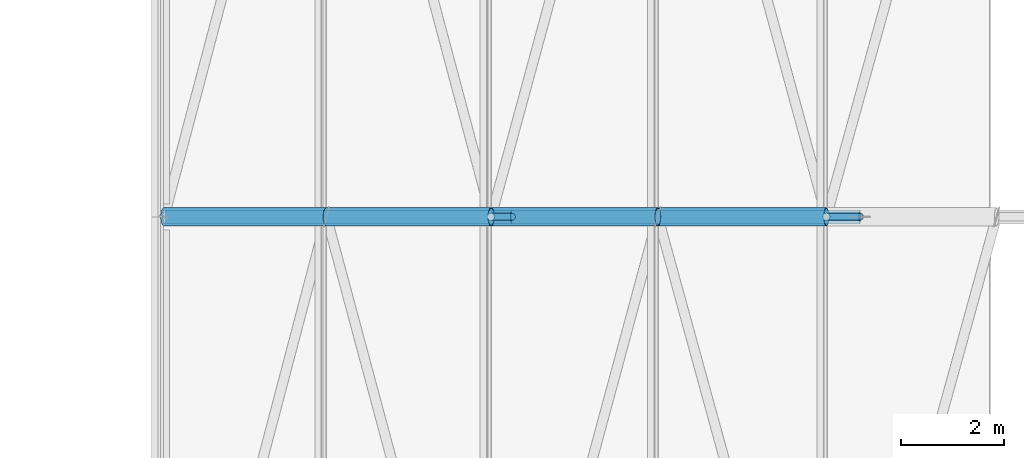
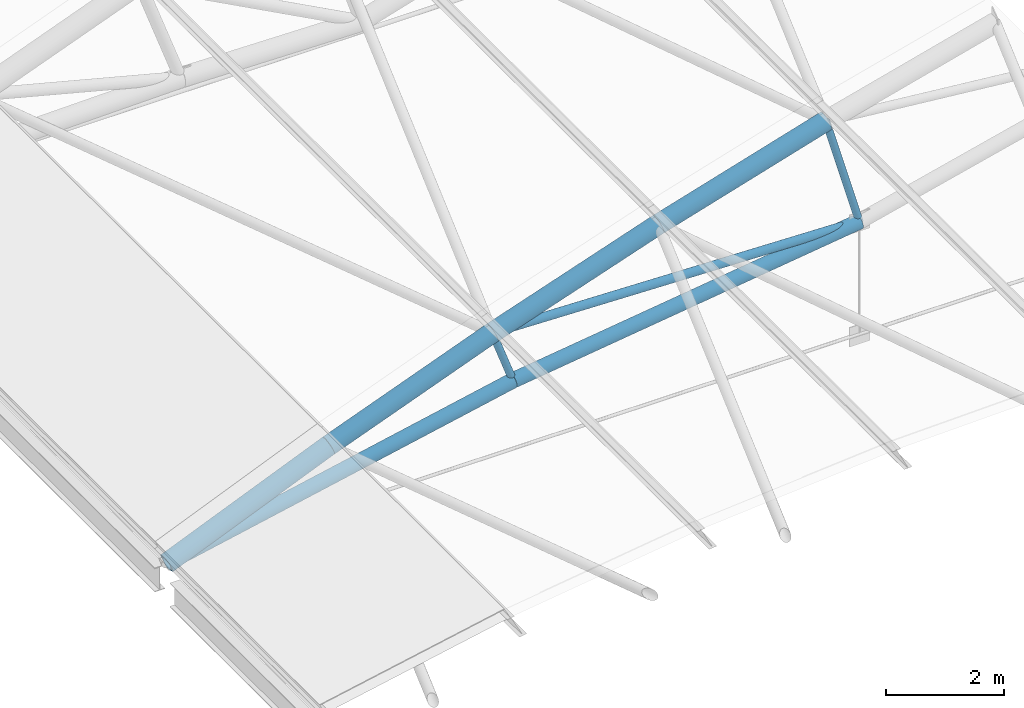
# One storey, part 73 of 321: 9 members.
"""IFC4 building model written with IfcOpenShell, lengths in metres."""

from ifc_helpers import new_model, si_unit, direction, frame, origin, origin_2d, place, context, subcontext, project, spatial, hollow_circle, extrude, material, material_profile, profile_set, type_object, element, save


model = new_model("IFC4")

# Units and contexts
model_context = context("Model", 3, precision=1e-05, world=origin(), true_north=direction((0.0, 1.0)))
body_context = subcontext(model_context, "Body", "Model", "MODEL_VIEW")
ifc_project = project(units=[si_unit("LENGTHUNIT", "METRE"), si_unit("AREAUNIT", "SQUARE_METRE"), si_unit("VOLUMEUNIT", "CUBIC_METRE"), si_unit("PLANEANGLEUNIT", "RADIAN"), si_unit("MASSUNIT", "GRAM", prefix="KILO")], contexts=[model_context])

# Site, building, storey
site_placement = place(None, origin())
site = spatial("IfcSite", under=ifc_project, at=site_placement, CompositionType="ELEMENT")
building_placement = place(site_placement, origin())
building = spatial("IfcBuilding", under=site, at=building_placement, Name="Ravi Spectrum Wholesale Market", CompositionType="ELEMENT")
storey_placement = place(building_placement, frame((0.0, 0.0, 10.800048828125)))
storey = spatial("IfcBuildingStorey", under=building, at=storey_placement, Name="L02", CompositionType="ELEMENT", Elevation=10.800048828125)

# Members
ifc_material_1 = material(Name="Steel S355", Category="steel")
ifc_material_profile_1 = material_profile(ifc_material_1, hollow_circle(Radius=0.06982421875, WallThickness=0.0048828125, at=origin_2d()))
ifc_profile_set_1 = profile_set([ifc_material_profile_1], Name="Steel S355")
member_type_1 = type_object("IfcMemberType", Name="CHS 139.7x5 post", PredefinedType="POST", material=ifc_profile_set_1)
member_1_placement = place(storey_placement, frame((36.363037109375, 114.0, 2.56494140625), z_axis=(0.338114270461, 0.0, -0.941105063269), x_axis=(0.0, 1.0, 0.0)))
element("IfcMember", 1, at=member_1_placement, inside=storey, type_object=member_type_1, Name="H1-MB-L02-622", PredefinedType="POST", context=body_context, shape_type="SweptSolid", body=[
    extrude(hollow_circle(Radius=0.06982421875, WallThickness=0.0048828125, at=origin_2d()), origin(), (0.0, 0.0, 1.0), 1.199951171875),
])
member_2_placement = place(storey_placement, frame((42.896240234375, 114.0, 4.661376953125), z_axis=(0.272503703517, 0.0, -0.962154733694), x_axis=(0.0, 1.0, 0.0)))
element("IfcMember", 2, at=member_2_placement, inside=storey, type_object=member_type_1, Name="H1-MB-L02-623", PredefinedType="POST", context=body_context, shape_type="SweptSolid", body=[
    extrude(hollow_circle(Radius=0.06982421875, WallThickness=0.0048828125, at=origin_2d()), origin(), (0.0, 0.0, 1.0), 2.400146484375),
])
ifc_material_2 = material(Name="Steel S355", Category="steel")
ifc_material_profile_2 = material_profile(ifc_material_2, hollow_circle(Radius=0.084228515625, WallThickness=0.00634765625, at=origin_2d()))
ifc_profile_set_2 = profile_set([ifc_material_profile_2], Name="Steel S355")
member_type_2 = type_object("IfcMemberType", Name="CHS 168.3x6.3 brace", PredefinedType="BRACE", material=ifc_profile_set_2)
member_3_placement = place(storey_placement, frame((36.363037109375, 114.0, 2.56494140625), z_axis=(0.999561599338, 0.0, -0.029607585673), x_axis=(0.0, 1.0, 0.0)))
element("IfcMember", 3, at=member_3_placement, inside=storey, type_object=member_type_2, Name="H1-MB-L02-633", PredefinedType="BRACE", context=body_context, shape_type="SweptSolid", body=[
    extrude(hollow_circle(Radius=0.084228515625, WallThickness=0.00634765625, at=origin_2d()), origin(), (0.0, 0.0, 1.0), 7.1904296875),
])
ifc_material_3 = material(Name="Steel S355", Category="steel")
ifc_material_profile_3 = material_profile(ifc_material_3, hollow_circle(Radius=0.136474609375, WallThickness=0.010009765625, at=origin_2d()))
ifc_profile_set_3 = profile_set([ifc_material_profile_3], Name="Steel S355")
member_type_3 = type_object("IfcMemberType", Name="CHS 273x10 chord", PredefinedType="CHORD", material=ifc_profile_set_3)
member_4_placement = place(storey_placement, frame((29.98974609375, 114.0, 0.023193359375), z_axis=(0.978978953118, 0.0, 0.203961293758), x_axis=(0.0, 1.0, 0.0)))
element("IfcMember", 4, at=member_4_placement, inside=storey, type_object=member_type_3, Name="H1-MB-L02-610", PredefinedType="CHORD", context=body_context, shape_type="SweptSolid", body=[
    extrude(hollow_circle(Radius=0.136474609375, WallThickness=0.010009765625, at=origin_2d()), origin(), (0.0, 0.0, 1.0), 6.924560546875),
])
member_5_placement = place(storey_placement, frame((36.768798828125, 114.0, 1.435546875), z_axis=(0.990990766788, 0.0, 0.133930206233), x_axis=(0.0, 1.0, 0.0)))
element("IfcMember", 5, at=member_5_placement, inside=storey, type_object=member_type_3, Name="H1-MB-L02-611", PredefinedType="CHORD", context=body_context, shape_type="SweptSolid", body=[
    extrude(hollow_circle(Radius=0.136474609375, WallThickness=0.010009765625, at=origin_2d()), origin(), (0.0, 0.0, 1.0), 6.84326171875),
])
ifc_material_4 = material(Name="Steel S355", Category="steel")
ifc_material_profile_4 = material_profile(ifc_material_4, hollow_circle(Radius=0.177734375, WallThickness=0.012451171875, at=origin_2d()))
ifc_profile_set_4 = profile_set([ifc_material_profile_4], Name="Steel S355")
member_type_4 = type_object("IfcMemberType", Name="CHS 355.6x12.5 chord", PredefinedType="CHORD", material=ifc_profile_set_4)
member_6_placement = place(storey_placement, frame((29.98974609375, 114.0, 0.023193359375), z_axis=(0.922323660423, 0.0, 0.386418251929), x_axis=(0.0, 1.0, 0.0)))
element("IfcMember", 6, at=member_6_placement, inside=storey, type_object=member_type_4, Name="H1-MB-L02-586", PredefinedType="CHORD", context=body_context, shape_type="SweptSolid", body=[
    extrude(hollow_circle(Radius=0.177734375, WallThickness=0.012451171875, at=origin_2d()), origin(), (0.0, 0.0, 1.0), 3.431396484375),
])
for number, where, z_axis, x_axis, name in (
    (7, (33.154541015625, 114.0, 1.34912109375), (0.935113010382, 0.0, 0.354349626518), (0.0, 1.0, 0.0), "H1-MB-L02-587"),
    (8, (36.363037109375, 114.0, 2.56494140625), (0.946773612235, 0.0, 0.321900182005), (0.0, 1.0, 0.0), "H1-MB-L02-588"),
    (9, (39.611572265625, 114.0, 3.66943359375), (0.957299848506, 0.0, 0.289096869666), (0.0, 1.0, 0.0), "H1-MB-L02-589"),
):
    element("IfcMember", number, at=place(storey_placement, frame(where, z_axis=z_axis, x_axis=x_axis)), inside=storey, type_object=member_type_4, Name=name, PredefinedType="CHORD", context=body_context, shape_type="SweptSolid", body=[
        extrude(hollow_circle(Radius=0.177734375, WallThickness=0.012451171875, at=origin_2d()), origin(), (0.0, 0.0, 1.0), 3.43115234375),
    ])

save(model, "model.ifc")
